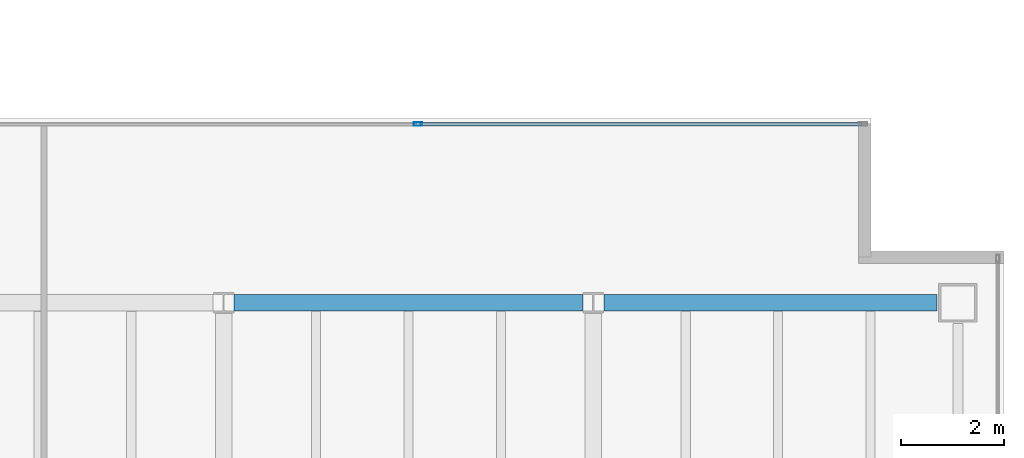
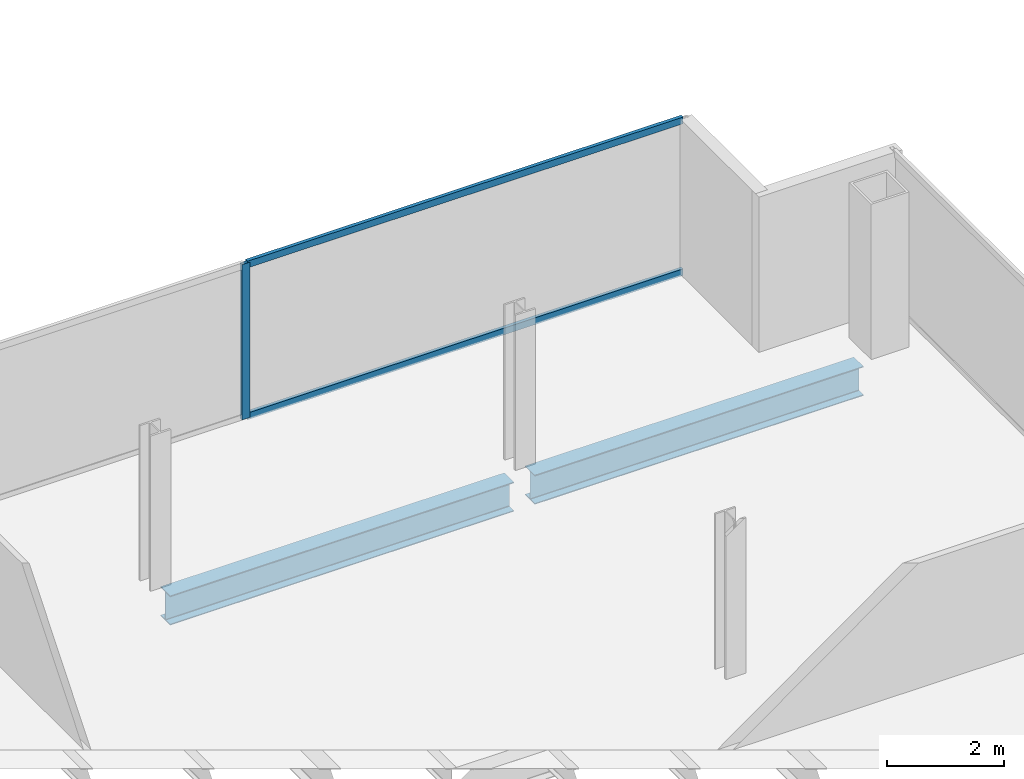
# One storey, part 15 of 23: 3 members, 2 beams, 1 element without a shape of its own.
"""IFC4 building model written with IfcOpenShell, lengths in metres."""

from ifc_helpers import new_model, si_unit, direction, frame, origin, origin_2d, place, context, subcontext, project, spatial, hollow_rectangle, i_section, extrude, material, material_profile, profile_set, type_object, element, aggregate, save


model = new_model("IFC4")

# Units and contexts
model_context = context("Model", 3, precision=1e-05, world=origin(), true_north=direction((0.0, 1.0)))
body_context = subcontext(model_context, "Body", "Model", "MODEL_VIEW")
ifc_project = project(units=[si_unit("LENGTHUNIT", "METRE"), si_unit("AREAUNIT", "SQUARE_METRE"), si_unit("VOLUMEUNIT", "CUBIC_METRE"), si_unit("PLANEANGLEUNIT", "RADIAN"), si_unit("MASSUNIT", "GRAM", prefix="KILO")], contexts=[model_context])

# Site, building, storey
site_placement = place(None, origin())
site = spatial("IfcSite", under=ifc_project, at=site_placement, CompositionType="ELEMENT")
building_placement = place(site_placement, origin())
building = spatial("IfcBuilding", under=site, at=building_placement, Name="Cobrela Telecom Tower", CompositionType="ELEMENT")
storey_placement = place(building_placement, frame((0.0, 0.0, 201.25)))
storey = spatial("IfcBuildingStorey", under=building, at=storey_placement, Name="L51", CompositionType="ELEMENT", Elevation=201.25)

# Beams
ifc_material_1 = material(Name="Steel ASTM A992 Grade 50", Category="steel")
ifc_material_profile_1 = material_profile(ifc_material_1, i_section(OverallWidth=0.324951171875, OverallDepth=0.612060546875, WebThickness=0.0126953125, FlangeThickness=0.01904296875, FilletRadius=0.014892578125, at=origin_2d()), Name="W24X104")
ifc_profile_set_1 = profile_set([ifc_material_profile_1], Name="Steel ASTM A992 Grade 50")
beam_type = type_object("IfcBeamType", Name="BM-GIRD-07", PredefinedType="USERDEFINED", material=ifc_profile_set_1)
beam_1_placement = place(storey_placement, frame((29.00439453125, 21.60009765625, -0.56591796875), z_axis=(1.0, 0.0, 0.0), x_axis=(0.0, 1.0, 0.0)))
element("IfcBeam", 1, at=beam_1_placement, inside=storey, type_object=beam_type, Name="L51 Primary Girder X17", ObjectType="GIRDER", PredefinedType="USERDEFINED", context=body_context, shape_type="SweptSolid", body=[
    extrude(i_section(OverallWidth=0.324951171875, OverallDepth=0.612060546875, WebThickness=0.0126953125, FlangeThickness=0.01904296875, FilletRadius=0.014892578125, at=origin_2d()), origin(), (0.0, 0.0, 1.0), 6.791015625),
])
beam_2_placement = place(storey_placement, frame((36.20458984375, 21.60009765625, -0.56591796875), z_axis=(1.0, 0.0, 0.0), x_axis=(0.0, 1.0, 0.0)))
element("IfcBeam", 2, at=beam_2_placement, inside=storey, type_object=beam_type, Name="L51 Primary Girder X18", ObjectType="GIRDER", PredefinedType="USERDEFINED", context=body_context, shape_type="SweptSolid", body=[
    extrude(i_section(OverallWidth=0.324951171875, OverallDepth=0.612060546875, WebThickness=0.0126953125, FlangeThickness=0.01904296875, FilletRadius=0.014892578125, at=origin_2d()), origin(), (0.0, 0.0, 1.0), 6.490478515625),
])

# Curtain wall, members
ifc_material_2 = material(Name="Anodized Bronze Aluminium 6063-T6", Category="aluminium")
curtain_wall_type = type_object("IfcCurtainWallType", Name="CW-SYS-OFF-LO", PredefinedType="USERDEFINED", material=ifc_material_2)
curtain_wall_placement = place(storey_placement, origin())
curtain_wall = element("IfcCurtainWall", 3, at=curtain_wall_placement, inside=storey, type_object=curtain_wall_type, Name="L51 Unitised Bronze Curtain Wall 11", ObjectType="UNITISED CURTAIN WALL", PredefinedType="USERDEFINED")
ifc_material_profile_2 = material_profile(ifc_material_2, hollow_rectangle(XDim=0.070068359375, YDim=0.159912109375, WallThickness=0.00390625, at=origin_2d()), Name="ALU 70x160x4")
ifc_profile_set_2 = profile_set([ifc_material_profile_2], Name="Anodized Bronze Aluminium 6063-T6")
member_type_1 = type_object("IfcMemberType", Name="CW-SYS-OFF-LO-MUL", PredefinedType="MULLION", material=ifc_profile_set_2)
member_1_placement = place(storey_placement, frame((32.5849609375, 25.080078125, 0.0), z_axis=(0.0, 0.0, 1.0), x_axis=(0.0, 1.0, 0.0)))
member_1 = element("IfcMember", 4, at=member_1_placement, type_object=member_type_1, Name="CW-OFF-LO mullion 2", PredefinedType="MULLION", context=body_context, shape_type="SweptSolid", body=[
    extrude(hollow_rectangle(XDim=0.070068359375, YDim=0.159912109375, WallThickness=0.00390625, at=origin_2d()), origin(), (0.0, 0.0, 1.0), 3.239990234375),
])
ifc_material_profile_3 = material_profile(ifc_material_2, hollow_rectangle(XDim=0.070068359375, YDim=0.139892578125, WallThickness=0.00390625, at=origin_2d()), Name="ALU 70x140x4")
ifc_profile_set_3 = profile_set([ifc_material_profile_3], Name="Anodized Bronze Aluminium 6063-T6")
member_type_2 = type_object("IfcMemberType", Name="CW-SYS-OFF-LO-TRN", PredefinedType="USERDEFINED", material=ifc_profile_set_3)
member_2_placement = place(storey_placement, frame((32.6201171875, 25.080078125, 0.034912109375), z_axis=(1.0, 0.0, 0.0), x_axis=(0.0, 1.0, 0.0)))
member_2 = element("IfcMember", 5, at=member_2_placement, type_object=member_type_2, Name="CW-OFF-LO transom 2.1", ObjectType="TRANSOM", PredefinedType="USERDEFINED", context=body_context, shape_type="SweptSolid", body=[
    extrude(hollow_rectangle(XDim=0.070068359375, YDim=0.139892578125, WallThickness=0.00390625, at=origin_2d()), origin(), (0.0, 0.0, 1.0), 8.599853515625),
])
member_3_placement = place(storey_placement, frame((32.6201171875, 25.080078125, 3.205078125), z_axis=(1.0, 0.0, 0.0), x_axis=(0.0, 1.0, 0.0)))
member_3 = element("IfcMember", 6, at=member_3_placement, type_object=member_type_2, Name="CW-OFF-LO transom 2.2", ObjectType="TRANSOM", PredefinedType="USERDEFINED", context=body_context, shape_type="SweptSolid", body=[
    extrude(hollow_rectangle(XDim=0.070068359375, YDim=0.139892578125, WallThickness=0.00390625, at=origin_2d()), origin(), (0.0, 0.0, 1.0), 8.599853515625),
])
aggregate(curtain_wall, [member_1, member_2, member_3])

save(model, "model.ifc")
